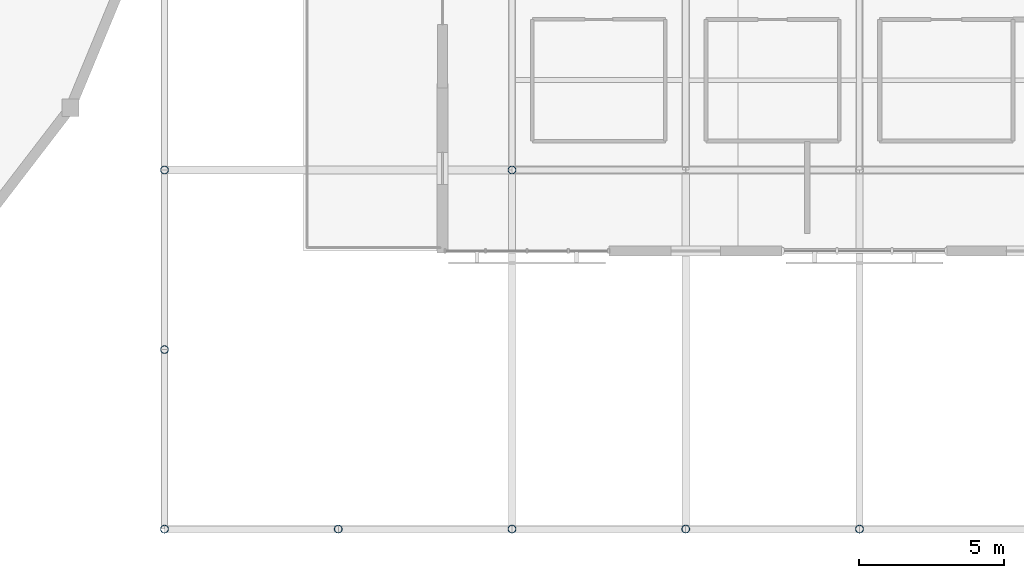
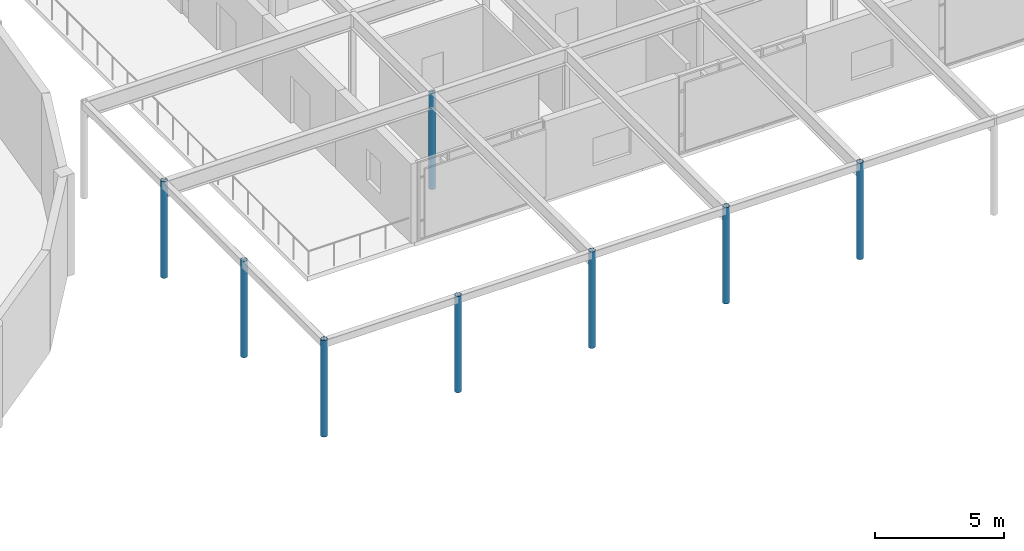
# One storey, part 2 of 48: 8 columns.
"""IFC4 building model written with IfcOpenShell, lengths in metres."""

from ifc_helpers import new_model, si_unit, direction, frame, origin, origin_2d, place, context, subcontext, project, spatial, hollow_circle, extrude, material, material_profile, profile_set, type_object, element, save


model = new_model("IFC4")

# Units and contexts
model_context = context("Model", 3, precision=1e-05, world=origin(), true_north=direction((0.0, 1.0)))
body_context = subcontext(model_context, "Body", "Model", "MODEL_VIEW")
ifc_project = project(units=[si_unit("LENGTHUNIT", "METRE"), si_unit("AREAUNIT", "SQUARE_METRE"), si_unit("VOLUMEUNIT", "CUBIC_METRE"), si_unit("PLANEANGLEUNIT", "RADIAN"), si_unit("MASSUNIT", "GRAM", prefix="KILO")], contexts=[model_context])

# Site, building, storey
site_placement = place(None, origin())
site = spatial("IfcSite", under=ifc_project, at=site_placement, CompositionType="ELEMENT")
building_placement = place(site_placement, origin())
building = spatial("IfcBuilding", under=site, at=building_placement, Name="Mirzam Square Science Centre", CompositionType="ELEMENT")
storey_placement = place(building_placement, frame((0.0, 0.0, 20.39990234375)))
storey = spatial("IfcBuildingStorey", under=building, at=storey_placement, Name="L04", CompositionType="ELEMENT", Elevation=20.39990234375)

# Columns
ifc_material = material(Name="Steel S355", Category="steel")
ifc_material_profile = material_profile(ifc_material, hollow_circle(Radius=0.136474609375, WallThickness=0.010009765625, at=origin_2d()), Name="273.0x10.0CHS")
ifc_profile_set = profile_set([ifc_material_profile], Name="Steel S355")
column_type = type_object("IfcColumnType", Name="COL-CHS273", PredefinedType="COLUMN", material=ifc_profile_set)
for number, where, z_axis, x_axis, name in (
    (1, (102.0, 37.199951171875, 0.0), (0.0, 0.0, 1.0), (1.0, 0.0, 0.0), "L04 column G18-07"),
    (2, (102.0, 43.39990234375, 0.0), (0.0, 0.0, 1.0), (1.0, 0.0, 0.0), "L04 column G18-08"),
    (3, (102.0, 49.60009765625, 0.0), (0.0, 0.0, 1.0), (1.0, 0.0, 0.0), "L04 column G18-09"),
    (4, (108.0, 37.199951171875, 0.0), (0.0, 0.0, 1.0), (1.0, 0.0, 0.0), "L04 column G19-07"),
    (5, (114.0, 37.199951171875, 0.0), (0.0, 0.0, 1.0), (1.0, 0.0, 0.0), "L04 column G20-07"),
):
    element("IfcColumn", number, at=place(storey_placement, frame(where, z_axis=z_axis, x_axis=x_axis)), inside=storey, type_object=column_type, Name=name, PredefinedType="COLUMN", context=body_context, shape_type="SweptSolid", body=[
        extrude(hollow_circle(Radius=0.136474609375, WallThickness=0.010009765625, at=origin_2d()), origin(), (0.0, 0.0, 1.0), 4.570068359375),
    ])
column_placement = place(storey_placement, frame((114.0, 49.60009765625, 0.0), z_axis=(0.0, 0.0, 1.0), x_axis=(1.0, 0.0, 0.0)))
element("IfcColumn", 6, at=column_placement, inside=storey, type_object=column_type, Name="L04 column G20-09", PredefinedType="COLUMN", context=body_context, shape_type="SweptSolid", body=[
    extrude(hollow_circle(Radius=0.136474609375, WallThickness=0.010009765625, at=origin_2d()), origin(), (0.0, 0.0, 1.0), 4.550048828125),
])
for number, where, z_axis, x_axis, name in (
    (7, (120.0, 37.199951171875, 0.0), (0.0, 0.0, 1.0), (1.0, 0.0, 0.0), "L04 column G21-07"),
    (8, (126.0, 37.199951171875, 0.0), (0.0, 0.0, 1.0), (1.0, 0.0, 0.0), "L04 column G22-07"),
):
    element("IfcColumn", number, at=place(storey_placement, frame(where, z_axis=z_axis, x_axis=x_axis)), inside=storey, type_object=column_type, Name=name, PredefinedType="COLUMN", context=body_context, shape_type="SweptSolid", body=[
        extrude(hollow_circle(Radius=0.136474609375, WallThickness=0.010009765625, at=origin_2d()), origin(), (0.0, 0.0, 1.0), 4.570068359375),
    ])

save(model, "model.ifc")
